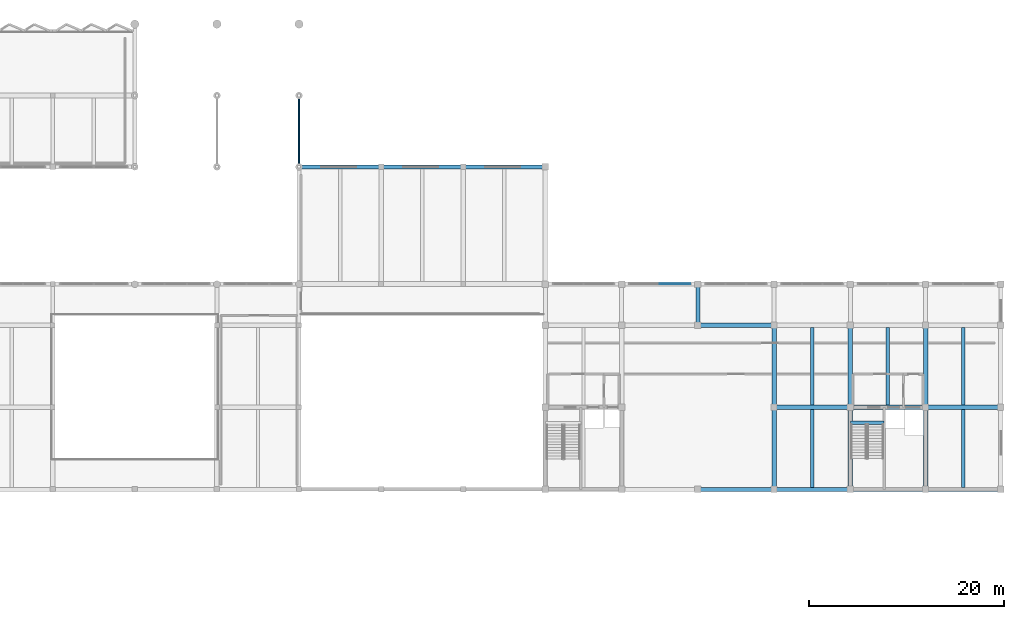
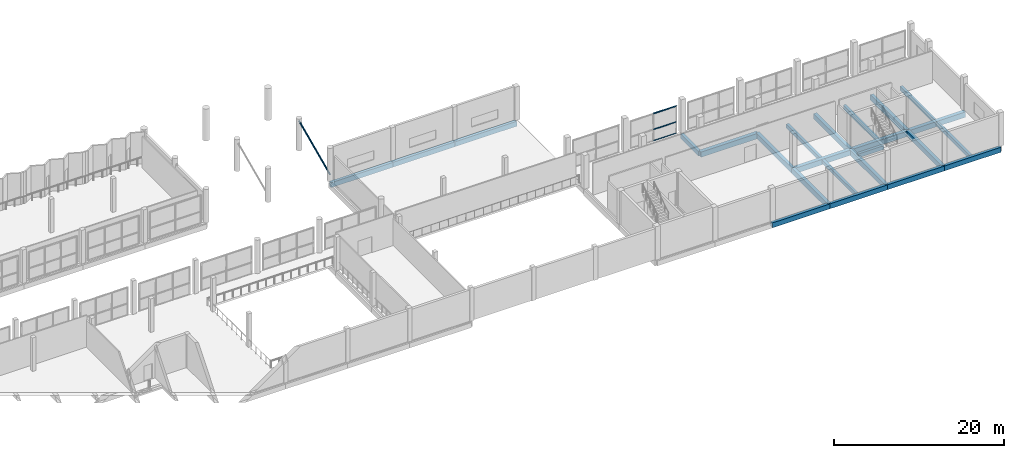
# One storey, part 23 of 47: 24 beams, 4 members, 1 element without a shape of its own.
"""IFC4 building model written with IfcOpenShell, lengths in metres."""

from ifc_helpers import new_model, si_unit, direction, frame, origin, origin_2d, place, context, subcontext, project, spatial, rectangle, hollow_circle, extrude, material, material_profile, profile_set, type_object, element, aggregate, save


model = new_model("IFC4")

# Units and contexts
model_context = context("Model", 3, precision=1e-05, world=origin(), true_north=direction((0.0, 1.0)))
body_context = subcontext(model_context, "Body", "Model", "MODEL_VIEW")
ifc_project = project(units=[si_unit("LENGTHUNIT", "METRE"), si_unit("AREAUNIT", "SQUARE_METRE"), si_unit("VOLUMEUNIT", "CUBIC_METRE"), si_unit("PLANEANGLEUNIT", "RADIAN"), si_unit("MASSUNIT", "GRAM", prefix="KILO")], contexts=[model_context])

# Site, building, storey
site_placement = place(None, origin())
site = spatial("IfcSite", under=ifc_project, at=site_placement, CompositionType="ELEMENT")
building_placement = place(site_placement, origin())
building = spatial("IfcBuilding", under=site, at=building_placement, Name="Vharandega Faculty of Natural Sciences", CompositionType="ELEMENT")
storey_placement = place(building_placement, frame((0.0, 0.0, 5.39990234375)))
storey = spatial("IfcBuildingStorey", under=building, at=storey_placement, Name="L01", CompositionType="ELEMENT", Elevation=5.39990234375)

# Curtain wall, members
ifc_material_1 = material(Name="Aluminium and solar-control glass curtain wall", Category="aluminium")
curtain_wall_type = type_object("IfcCurtainWallType", Name="Unitised Curtain Wall System CW-04", PredefinedType="NOTDEFINED", material=ifc_material_1)
curtain_wall_placement = place(storey_placement, origin())
curtain_wall = element("IfcCurtainWall", 1, at=curtain_wall_placement, inside=storey, type_object=curtain_wall_type, Name="Curtain Wall CW-L01-003", PredefinedType="NOTDEFINED")
ifc_material_2 = material(Name="Thermally broken aluminium 6063-T6", Category="aluminium")
ifc_material_profile_1 = material_profile(ifc_material_2, rectangle(XDim=0.06005859375, YDim=0.1201171875, at=origin_2d()), Name="ALU 60x120")
ifc_profile_set_1 = profile_set([ifc_material_profile_1], Name="Thermally broken aluminium 6063-T6")
member_type_1 = type_object("IfcMemberType", Name="CW Transom 60x120", PredefinedType="USERDEFINED", material=ifc_profile_set_1)
member_1_placement = place(storey_placement, frame((126.530029296875, 85.0, 0.030029296875), z_axis=(1.0, 0.0, 0.0), x_axis=(0.0, 1.0, 0.0)))
member_1 = element("IfcMember", 2, at=member_1_placement, type_object=member_type_1, Name="CW-04 transom 2.1", ObjectType="TRANSOM", PredefinedType="USERDEFINED", context=body_context, shape_type="SweptSolid", body=[
    extrude(rectangle(XDim=0.06005859375, YDim=0.1201171875, at=origin_2d()), origin(), (0.0, 0.0, 1.0), 3.070068359375),
])
member_2_placement = place(storey_placement, frame((126.530029296875, 85.0, 1.6591796875), z_axis=(1.0, 0.0, 0.0), x_axis=(0.0, 1.0, 0.0)))
member_2 = element("IfcMember", 3, at=member_2_placement, type_object=member_type_1, Name="CW-04 transom 2.2", ObjectType="TRANSOM", PredefinedType="USERDEFINED", context=body_context, shape_type="SweptSolid", body=[
    extrude(rectangle(XDim=0.06005859375, YDim=0.1201171875, at=origin_2d()), origin(), (0.0, 0.0, 1.0), 3.070068359375),
])
member_3_placement = place(storey_placement, frame((126.530029296875, 85.0, 3.920166015625), z_axis=(1.0, 0.0, 0.0), x_axis=(0.0, 1.0, 0.0)))
member_3 = element("IfcMember", 4, at=member_3_placement, type_object=member_type_1, Name="CW-04 transom 2.3", ObjectType="TRANSOM", PredefinedType="USERDEFINED", context=body_context, shape_type="SweptSolid", body=[
    extrude(rectangle(XDim=0.06005859375, YDim=0.1201171875, at=origin_2d()), origin(), (0.0, 0.0, 1.0), 3.070068359375),
])
aggregate(curtain_wall, [member_1, member_2, member_3])

# Beams
ifc_material_3 = material(Name="Concrete C40/50", Category="concrete")
ifc_material_profile_2 = material_profile(ifc_material_3, rectangle(XDim=0.39990234375, YDim=0.64990234375, at=origin_2d()), Name="RC 400x650")
ifc_profile_set_2 = profile_set([ifc_material_profile_2], Name="Concrete C40/50")
beam_type_1 = type_object("IfcBeamType", Name="Podium Floor Beam 400x650", PredefinedType="BEAM", material=ifc_profile_set_2)
beam_1_placement = place(storey_placement, frame((130.39990234375, 80.800048828125, -0.60498046875), z_axis=(0.0, 1.0, 0.0), x_axis=(-1.0, 0.0, 0.0)))
element("IfcBeam", 5, at=beam_1_placement, inside=storey, type_object=beam_type_1, Name="Beam L01 17/L-M", PredefinedType="BEAM", context=body_context, shape_type="SweptSolid", body=[
    extrude(rectangle(XDim=0.39990234375, YDim=0.64990234375, at=origin_2d()), origin(), (0.0, 0.0, 1.0), 4.199951171875),
])
ifc_material_4 = material(Name="Concrete C40/50", Category="concrete")
ifc_material_profile_3 = material_profile(ifc_material_4, rectangle(XDim=0.5, YDim=0.75, at=origin_2d()), Name="RC 500x750")
ifc_profile_set_3 = profile_set([ifc_material_profile_3], Name="Concrete C40/50")
beam_type_2 = type_object("IfcBeamType", Name="Podium Primary Beam 500x750", PredefinedType="BEAM", material=ifc_profile_set_3)
beam_2_placement = place(storey_placement, frame((138.199951171875, 72.39990234375, -0.65478515625), z_axis=(1.0, 0.0, 0.0), x_axis=(0.0, 1.0, 0.0)))
element("IfcBeam", 6, at=beam_2_placement, inside=storey, type_object=beam_type_2, Name="Beam L01 K/18-19", PredefinedType="BEAM", context=body_context, shape_type="SweptSolid", body=[
    extrude(rectangle(XDim=0.5, YDim=0.75, at=origin_2d()), origin(), (0.0, 0.0, 1.0), 7.800048828125),
])
for number, where, z_axis, x_axis, name in (
    (7, (146.0, 72.39990234375, -0.65478515625), (1.0, 0.0, 0.0), (0.0, 1.0, 0.0), "Beam L01 K/19-20"),
    (8, (153.699951171875, 72.39990234375, -0.65478515625), (1.0, 0.0, 0.0), (0.0, 1.0, 0.0), "Beam L01 K/20-21"),
):
    element("IfcBeam", number, at=place(storey_placement, frame(where, z_axis=z_axis, x_axis=x_axis)), inside=storey, type_object=beam_type_2, Name=name, PredefinedType="BEAM", context=body_context, shape_type="SweptSolid", body=[
        extrude(rectangle(XDim=0.5, YDim=0.75, at=origin_2d()), origin(), (0.0, 0.0, 1.0), 7.699951171875),
    ])
beam_3_placement = place(storey_placement, frame((130.39990234375, 80.800048828125, -0.65478515625), z_axis=(1.0, 0.0, 0.0), x_axis=(0.0, 1.0, 0.0)))
element("IfcBeam", 9, at=beam_3_placement, inside=storey, type_object=beam_type_2, Name="Beam L01 L/17-18", PredefinedType="BEAM", context=body_context, shape_type="SweptSolid", body=[
    extrude(rectangle(XDim=0.5, YDim=0.75, at=origin_2d()), origin(), (0.0, 0.0, 1.0), 7.800048828125),
])
ifc_material_5 = material(Name="Concrete C40/50", Category="concrete")
ifc_material_profile_4 = material_profile(ifc_material_5, rectangle(XDim=0.35009765625, YDim=0.550048828125, at=origin_2d()), Name="RC 350x550")
ifc_profile_set_4 = profile_set([ifc_material_profile_4], Name="Concrete C40/50")
beam_type_3 = type_object("IfcBeamType", Name="Podium Secondary Beam 350x550", PredefinedType="JOIST", material=ifc_profile_set_4)
beam_4_placement = place(storey_placement, frame((142.10009765625, 64.199951171875, -0.554931640625), z_axis=(0.0, 1.0, 0.0), x_axis=(-1.0, 0.0, 0.0)))
element("IfcBeam", 10, at=beam_4_placement, inside=storey, type_object=beam_type_3, Name="Secondary Joist L01 18-19/J-K", PredefinedType="JOIST", context=body_context, shape_type="SweptSolid", body=[
    extrude(rectangle(XDim=0.35009765625, YDim=0.550048828125, at=origin_2d()), origin(), (0.0, 0.0, 1.0), 7.949951171875),
])
for number, where, z_axis, x_axis, name in (
    (11, (142.10009765625, 72.64990234375, -0.554931640625), (0.0, 1.0, 0.0), (-1.0, 0.0, 0.0), "Secondary Joist L01 18-19/K-L"),
    (12, (149.85009765625, 72.64990234375, -0.554931640625), (0.0, 1.0, 0.0), (-1.0, 0.0, 0.0), "Secondary Joist L01 19-20/K-L"),
):
    element("IfcBeam", number, at=place(storey_placement, frame(where, z_axis=z_axis, x_axis=x_axis)), inside=storey, type_object=beam_type_3, Name=name, PredefinedType="JOIST", context=body_context, shape_type="SweptSolid", body=[
        extrude(rectangle(XDim=0.35009765625, YDim=0.550048828125, at=origin_2d()), origin(), (0.0, 0.0, 1.0), 7.900146484375),
    ])
beam_5_placement = place(storey_placement, frame((157.550048828125, 64.199951171875, -0.554931640625), z_axis=(0.0, 1.0, 0.0), x_axis=(-1.0, 0.0, 0.0)))
element("IfcBeam", 13, at=beam_5_placement, inside=storey, type_object=beam_type_3, Name="Secondary Joist L01 20-21/J-K", PredefinedType="JOIST", context=body_context, shape_type="SweptSolid", body=[
    extrude(rectangle(XDim=0.35009765625, YDim=0.550048828125, at=origin_2d()), origin(), (0.0, 0.0, 1.0), 7.949951171875),
])
beam_6_placement = place(storey_placement, frame((157.550048828125, 72.64990234375, -0.554931640625), z_axis=(0.0, 1.0, 0.0), x_axis=(-1.0, 0.0, 0.0)))
element("IfcBeam", 14, at=beam_6_placement, inside=storey, type_object=beam_type_3, Name="Secondary Joist L01 20-21/K-L", PredefinedType="JOIST", context=body_context, shape_type="SweptSolid", body=[
    extrude(rectangle(XDim=0.35009765625, YDim=0.550048828125, at=origin_2d()), origin(), (0.0, 0.0, 1.0), 7.900146484375),
])
ifc_material_6 = material(Name="Concrete C40/50", Category="concrete")
ifc_material_profile_5 = material_profile(ifc_material_6, rectangle(XDim=0.39990234375, YDim=0.699951171875, at=origin_2d()), Name="RC 400x700")
ifc_profile_set_5 = profile_set([ifc_material_profile_5], Name="Concrete C40/50")
beam_type_4 = type_object("IfcBeamType", Name="Podium Spandrel Beam 400x700", PredefinedType="SPANDREL", material=ifc_profile_set_5)
for number, where, z_axis, x_axis, name in (
    (15, (130.39990234375, 64.0, -0.6298828125), (1.0, 0.0, 0.0), (0.0, 1.0, 0.0), "Beam L01 J/17-18"),
    (16, (138.199951171875, 64.0, -0.6298828125), (1.0, 0.0, 0.0), (0.0, 1.0, 0.0), "Beam L01 J/18-19"),
):
    element("IfcBeam", number, at=place(storey_placement, frame(where, z_axis=z_axis, x_axis=x_axis)), inside=storey, type_object=beam_type_4, Name=name, PredefinedType="SPANDREL", context=body_context, shape_type="SweptSolid", body=[
        extrude(rectangle(XDim=0.39990234375, YDim=0.699951171875, at=origin_2d()), origin(), (0.0, 0.0, 1.0), 7.800048828125),
    ])
for number, where, z_axis, x_axis, name in (
    (17, (146.0, 64.0, -0.6298828125), (1.0, 0.0, 0.0), (0.0, 1.0, 0.0), "Beam L01 J/19-20"),
    (18, (153.699951171875, 64.0, -0.6298828125), (1.0, 0.0, 0.0), (0.0, 1.0, 0.0), "Beam L01 J/20-21"),
):
    element("IfcBeam", number, at=place(storey_placement, frame(where, z_axis=z_axis, x_axis=x_axis)), inside=storey, type_object=beam_type_4, Name=name, PredefinedType="SPANDREL", context=body_context, shape_type="SweptSolid", body=[
        extrude(rectangle(XDim=0.39990234375, YDim=0.699951171875, at=origin_2d()), origin(), (0.0, 0.0, 1.0), 7.699951171875),
    ])
for number, where, z_axis, x_axis, name in (
    (19, (89.60009765625, 97.0, -0.60986328125), (1.0, 0.0, 0.0), (0.0, 1.0, 0.0), "Beam L01 N/12-13"),
    (20, (98.0, 97.0, -0.60986328125), (1.0, 0.0, 0.0), (0.0, 1.0, 0.0), "Beam L01 N/13-14"),
):
    element("IfcBeam", number, at=place(storey_placement, frame(where, z_axis=z_axis, x_axis=x_axis)), inside=storey, type_object=beam_type_4, Name=name, PredefinedType="SPANDREL", context=body_context, shape_type="SweptSolid", body=[
        extrude(rectangle(XDim=0.39990234375, YDim=0.699951171875, at=origin_2d()), origin(), (0.0, 0.0, 1.0), 8.39990234375),
    ])
beam_7_placement = place(storey_placement, frame((106.39990234375, 97.0, -0.60986328125), z_axis=(1.0, 0.0, 0.0), x_axis=(0.0, 1.0, 0.0)))
element("IfcBeam", 21, at=beam_7_placement, inside=storey, type_object=beam_type_4, Name="Beam L01 N/14-15", PredefinedType="SPANDREL", context=body_context, shape_type="SweptSolid", body=[
    extrude(rectangle(XDim=0.39990234375, YDim=0.699951171875, at=origin_2d()), origin(), (0.0, 0.0, 1.0), 8.400146484375),
])
ifc_material_7 = material(Name="Concrete C40/50", Category="concrete")
ifc_material_profile_6 = material_profile(ifc_material_7, rectangle(XDim=0.449951171875, YDim=0.75, at=origin_2d()), Name="RC 450x750")
ifc_profile_set_6 = profile_set([ifc_material_profile_6], Name="Concrete C40/50")
beam_type_5 = type_object("IfcBeamType", Name="Podium Spine Beam 450x750", PredefinedType="BEAM", material=ifc_profile_set_6)
beam_8_placement = place(storey_placement, frame((138.199951171875, 64.0, -0.65478515625), z_axis=(0.0, 1.0, 0.0), x_axis=(-1.0, 0.0, 0.0)))
element("IfcBeam", 22, at=beam_8_placement, inside=storey, type_object=beam_type_5, Name="Beam L01 18/J-K", PredefinedType="BEAM", context=body_context, shape_type="SweptSolid", body=[
    extrude(rectangle(XDim=0.449951171875, YDim=0.75, at=origin_2d()), origin(), (0.0, 0.0, 1.0), 8.39990234375),
])
beam_9_placement = place(storey_placement, frame((138.199951171875, 72.39990234375, -0.65478515625), z_axis=(0.0, 1.0, 0.0), x_axis=(-1.0, 0.0, 0.0)))
element("IfcBeam", 23, at=beam_9_placement, inside=storey, type_object=beam_type_5, Name="Beam L01 18/K-L", PredefinedType="BEAM", context=body_context, shape_type="SweptSolid", body=[
    extrude(rectangle(XDim=0.449951171875, YDim=0.75, at=origin_2d()), origin(), (0.0, 0.0, 1.0), 8.400146484375),
])
beam_10_placement = place(storey_placement, frame((146.0, 64.0, -0.65478515625), z_axis=(0.0, 1.0, 0.0), x_axis=(-1.0, 0.0, 0.0)))
element("IfcBeam", 24, at=beam_10_placement, inside=storey, type_object=beam_type_5, Name="Beam L01 19/J-K", PredefinedType="BEAM", context=body_context, shape_type="SweptSolid", body=[
    extrude(rectangle(XDim=0.449951171875, YDim=0.75, at=origin_2d()), origin(), (0.0, 0.0, 1.0), 8.39990234375),
])
beam_11_placement = place(storey_placement, frame((146.0, 72.39990234375, -0.65478515625), z_axis=(0.0, 1.0, 0.0), x_axis=(-1.0, 0.0, 0.0)))
element("IfcBeam", 25, at=beam_11_placement, inside=storey, type_object=beam_type_5, Name="Beam L01 19/K-L", PredefinedType="BEAM", context=body_context, shape_type="SweptSolid", body=[
    extrude(rectangle(XDim=0.449951171875, YDim=0.75, at=origin_2d()), origin(), (0.0, 0.0, 1.0), 8.400146484375),
])
beam_12_placement = place(storey_placement, frame((153.699951171875, 64.0, -0.65478515625), z_axis=(0.0, 1.0, 0.0), x_axis=(-1.0, 0.0, 0.0)))
element("IfcBeam", 26, at=beam_12_placement, inside=storey, type_object=beam_type_5, Name="Beam L01 20/J-K", PredefinedType="BEAM", context=body_context, shape_type="SweptSolid", body=[
    extrude(rectangle(XDim=0.449951171875, YDim=0.75, at=origin_2d()), origin(), (0.0, 0.0, 1.0), 8.39990234375),
])
beam_13_placement = place(storey_placement, frame((153.699951171875, 72.39990234375, -0.65478515625), z_axis=(0.0, 1.0, 0.0), x_axis=(-1.0, 0.0, 0.0)))
element("IfcBeam", 27, at=beam_13_placement, inside=storey, type_object=beam_type_5, Name="Beam L01 20/K-L", PredefinedType="BEAM", context=body_context, shape_type="SweptSolid", body=[
    extrude(rectangle(XDim=0.449951171875, YDim=0.75, at=origin_2d()), origin(), (0.0, 0.0, 1.0), 8.400146484375),
])

# Member
ifc_material_8 = material(Name="Steel S355", Category="steel")
ifc_material_profile_7 = material_profile(ifc_material_8, hollow_circle(Radius=0.109619140625, WallThickness=0.012451171875, at=origin_2d()), Name="CHS 219.1x12.5")
ifc_profile_set_7 = profile_set([ifc_material_profile_7], Name="Steel S355")
member_type_2 = type_object("IfcMemberType", Name="Portico Canopy Strut CHS 219", PredefinedType="STRUT", material=ifc_profile_set_7)
member_4_placement = place(storey_placement, frame((89.60009765625, 97.0, 0.800048828125), z_axis=(0.0, 0.911218243751, 0.411923915614), x_axis=(-1.0, 0.0, 0.0)))
element("IfcMember", 28, at=member_4_placement, inside=storey, type_object=member_type_2, Name="Portico Canopy Strut Grid 12", PredefinedType="STRUT", context=body_context, shape_type="SweptSolid", body=[
    extrude(hollow_circle(Radius=0.109619140625, WallThickness=0.012451171875, at=origin_2d()), origin(), (0.0, 0.0, 1.0), 8.01123046875),
])

# Beam
ifc_material_9 = material(Name="Concrete C40/50", Category="concrete")
ifc_material_profile_8 = material_profile(ifc_material_9, rectangle(XDim=0.35009765625, YDim=0.550048828125, at=origin_2d()), Name="RC 350x550")
ifc_profile_set_8 = profile_set([ifc_material_profile_8], Name="Concrete C40/50")
beam_type_6 = type_object("IfcBeamType", Name="Stair Header Trimmer Beam 350x550", PredefinedType="BEAM", material=ifc_profile_set_8)
beam_14_placement = place(storey_placement, frame((146.0, 70.800048828125, -0.27490234375), z_axis=(1.0, 0.0, 0.0), x_axis=(0.0, 1.0, 0.0)))
element("IfcBeam", 29, at=beam_14_placement, inside=storey, type_object=beam_type_6, Name="Stair Landing Trimmer Beam C2 L01", PredefinedType="BEAM", context=body_context, shape_type="SweptSolid", body=[
    extrude(rectangle(XDim=0.35009765625, YDim=0.550048828125, at=origin_2d()), origin(), (0.0, 0.0, 1.0), 3.4599609375),
])

save(model, "model.ifc")
